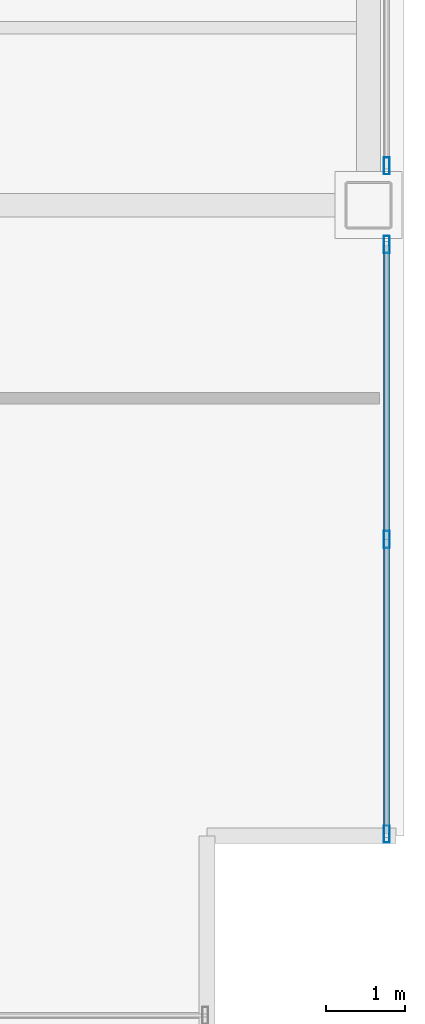
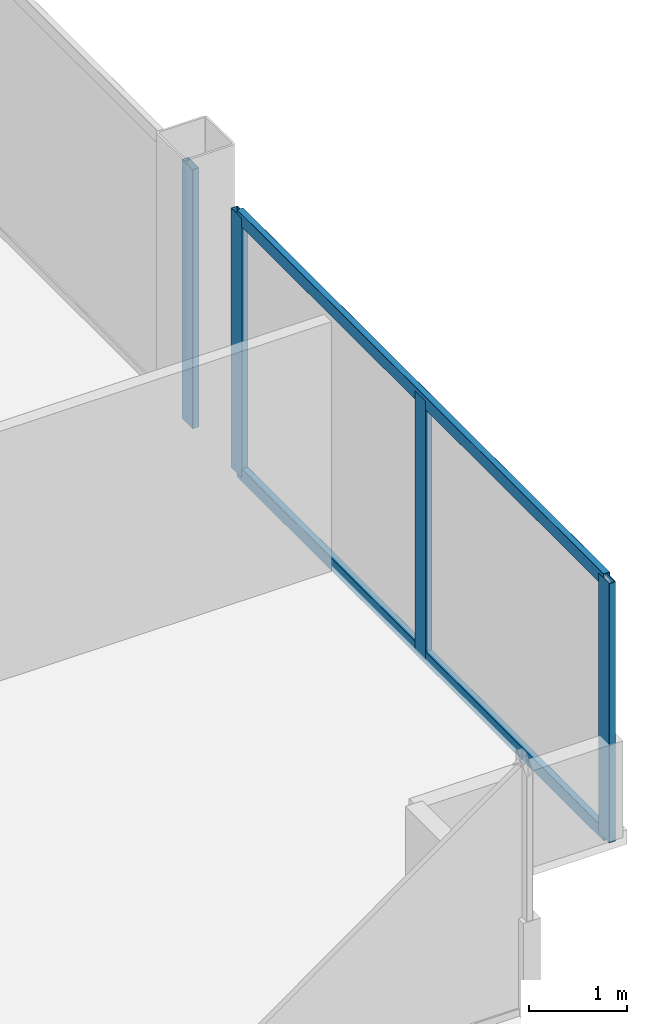
# One storey, part 11 of 22: 6 members, 2 elements without a shape of their own.
"""IFC4 building model written with IfcOpenShell, lengths in metres."""

from ifc_helpers import new_model, si_unit, direction, frame, origin, origin_2d, place, context, subcontext, project, spatial, hollow_rectangle, extrude, material, material_profile, profile_set, type_object, element, aggregate, save


model = new_model("IFC4")

# Units and contexts
model_context = context("Model", 3, precision=1e-05, world=origin(), true_north=direction((0.0, 1.0)))
body_context = subcontext(model_context, "Body", "Model", "MODEL_VIEW")
ifc_project = project(units=[si_unit("LENGTHUNIT", "METRE"), si_unit("AREAUNIT", "SQUARE_METRE"), si_unit("VOLUMEUNIT", "CUBIC_METRE"), si_unit("PLANEANGLEUNIT", "RADIAN"), si_unit("MASSUNIT", "GRAM", prefix="KILO")], contexts=[model_context])

# Site, building, storey
site_placement = place(None, origin())
site = spatial("IfcSite", under=ifc_project, at=site_placement, CompositionType="ELEMENT")
building_placement = place(site_placement, origin())
building = spatial("IfcBuilding", under=site, at=building_placement, Name="Noeulbin Bourse Tower", CompositionType="ELEMENT")
storey_placement = place(building_placement, frame((0.0, 0.0, 88.89990234375)))
storey = spatial("IfcBuildingStorey", under=building, at=storey_placement, Name="L22", CompositionType="ELEMENT", Elevation=88.89990234375)

# Curtain wall, members
ifc_material_1 = material(Name="Dark Solar-Control Double Glazing", Category="glass")
curtain_wall_type = type_object("IfcCurtainWallType", Name="CW-SYS-2", PredefinedType="NOTDEFINED", material=ifc_material_1)
curtain_wall_1_placement = place(storey_placement, origin())
curtain_wall_1 = element("IfcCurtainWall", 1, at=curtain_wall_1_placement, inside=storey, type_object=curtain_wall_type, Name="Unitised Curtain Wall CW-L22-E-S1", PredefinedType="NOTDEFINED")
ifc_material_2 = material(Name="Anodised Aluminium 6063-T6", Category="aluminium")
ifc_material_profile_1 = material_profile(ifc_material_2, hollow_rectangle(XDim=0.074951171875, YDim=0.219970703125, WallThickness=0.0048828125, InnerFilletRadius=0.00244140625, OuterFilletRadius=0.0048828125, at=origin_2d()), Name="ALU-MULL-75x220x5", Category="LoadBearing")
ifc_profile_set_1 = profile_set([ifc_material_profile_1], Name="Anodised Aluminium 6063-T6")
member_type_1 = type_object("IfcMemberType", Name="CW-SYS-2-MUL", PredefinedType="MULLION", material=ifc_profile_set_1)
member_1_placement = place(storey_placement, frame((57.280029296875, 12.02001953125, -0.02001953125), z_axis=(0.0, 0.0, 1.0), x_axis=(1.0, 0.0, 0.0)))
member_1 = element("IfcMember", 2, at=member_1_placement, type_object=member_type_1, Name="Curtain Wall Mullion CW-L22-E-S1-M00", PredefinedType="MULLION", context=body_context, shape_type="SweptSolid", body=[
    extrude(hollow_rectangle(XDim=0.074951171875, YDim=0.219970703125, WallThickness=0.0048828125, InnerFilletRadius=0.00244140625, OuterFilletRadius=0.0048828125, at=origin_2d()), origin(), (0.0, 0.0, 1.0), 3.22021484375),
])
member_2_placement = place(storey_placement, frame((57.280029296875, 15.760009765625, -0.02001953125), z_axis=(0.0, 0.0, 1.0), x_axis=(1.0, 0.0, 0.0)))
member_2 = element("IfcMember", 3, at=member_2_placement, type_object=member_type_1, Name="Curtain Wall Mullion CW-L22-E-S1-M01", PredefinedType="MULLION", context=body_context, shape_type="SweptSolid", body=[
    extrude(hollow_rectangle(XDim=0.074951171875, YDim=0.219970703125, WallThickness=0.0048828125, InnerFilletRadius=0.00244140625, OuterFilletRadius=0.0048828125, at=origin_2d()), origin(), (0.0, 0.0, 1.0), 3.22021484375),
])
member_3_placement = place(storey_placement, frame((57.280029296875, 19.5, -0.02001953125), z_axis=(0.0, 0.0, 1.0), x_axis=(1.0, 0.0, 0.0)))
member_3 = element("IfcMember", 4, at=member_3_placement, type_object=member_type_1, Name="Curtain Wall Mullion CW-L22-E-S1-M02", PredefinedType="MULLION", context=body_context, shape_type="SweptSolid", body=[
    extrude(hollow_rectangle(XDim=0.074951171875, YDim=0.219970703125, WallThickness=0.0048828125, InnerFilletRadius=0.00244140625, OuterFilletRadius=0.0048828125, at=origin_2d()), origin(), (0.0, 0.0, 1.0), 3.22021484375),
])

# Curtain wall, member
curtain_wall_2_placement = place(storey_placement, origin())
curtain_wall_2 = element("IfcCurtainWall", 5, at=curtain_wall_2_placement, inside=storey, type_object=curtain_wall_type, Name="Unitised Curtain Wall CW-L22-E-S2", PredefinedType="NOTDEFINED")
member_4_placement = place(storey_placement, frame((57.280029296875, 20.5, -0.02001953125), z_axis=(0.0, 0.0, 1.0), x_axis=(1.0, 0.0, 0.0)))
member_4 = element("IfcMember", 6, at=member_4_placement, type_object=member_type_1, Name="Curtain Wall Mullion CW-L22-E-S2-M00", PredefinedType="MULLION", context=body_context, shape_type="SweptSolid", body=[
    extrude(hollow_rectangle(XDim=0.074951171875, YDim=0.219970703125, WallThickness=0.0048828125, InnerFilletRadius=0.00244140625, OuterFilletRadius=0.0048828125, at=origin_2d()), origin(), (0.0, 0.0, 1.0), 3.22021484375),
])
aggregate(curtain_wall_2, [member_4])

# Member
ifc_material_profile_2 = material_profile(ifc_material_2, hollow_rectangle(XDim=0.074951171875, YDim=0.159912109375, WallThickness=0.0048828125, InnerFilletRadius=0.00244140625, OuterFilletRadius=0.0048828125, at=origin_2d()), Name="ALU-TRAN-75x160x5", Category="LoadBearing")
ifc_profile_set_2 = profile_set([ifc_material_profile_2], Name="Anodised Aluminium 6063-T6")
member_type_2 = type_object("IfcMemberType", Name="CW-SYS-2-TRN", PredefinedType="USERDEFINED", material=ifc_profile_set_2)
member_5_placement = place(storey_placement, frame((57.280029296875, 12.030029296875, 0.010009765625), z_axis=(0.0, 1.0, 0.0), x_axis=(-1.0, 0.0, 0.0)))
member_5 = element("IfcMember", 7, at=member_5_placement, type_object=member_type_2, Name="Curtain Wall Transom CW-L22-E-S1-T00", ObjectType="TRANSOM", PredefinedType="USERDEFINED", context=body_context, shape_type="SweptSolid", body=[
    extrude(hollow_rectangle(XDim=0.074951171875, YDim=0.159912109375, WallThickness=0.0048828125, InnerFilletRadius=0.00244140625, OuterFilletRadius=0.0048828125, at=origin_2d()), origin(), (0.0, 0.0, 1.0), 7.4599609375),
])

member_6_placement = place(storey_placement, frame((57.280029296875, 12.030029296875, 3.170166015625), z_axis=(0.0, 1.0, 0.0), x_axis=(-1.0, 0.0, 0.0)))
member_6 = element("IfcMember", 8, at=member_6_placement, type_object=member_type_2, Name="Curtain Wall Transom CW-L22-E-S1-T01", ObjectType="TRANSOM", PredefinedType="USERDEFINED", context=body_context, shape_type="SweptSolid", body=[
    extrude(hollow_rectangle(XDim=0.074951171875, YDim=0.159912109375, WallThickness=0.0048828125, InnerFilletRadius=0.00244140625, OuterFilletRadius=0.0048828125, at=origin_2d()), origin(), (0.0, 0.0, 1.0), 7.4599609375),
])

aggregate(curtain_wall_1, [member_1, member_2, member_3, member_5, member_6])

save(model, "model.ifc")
